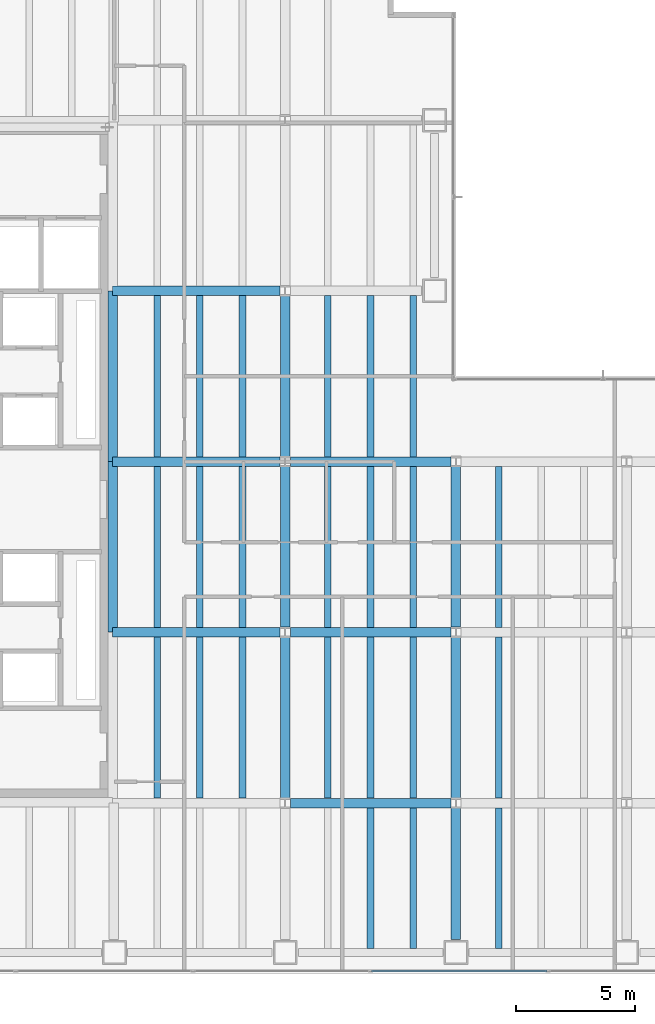
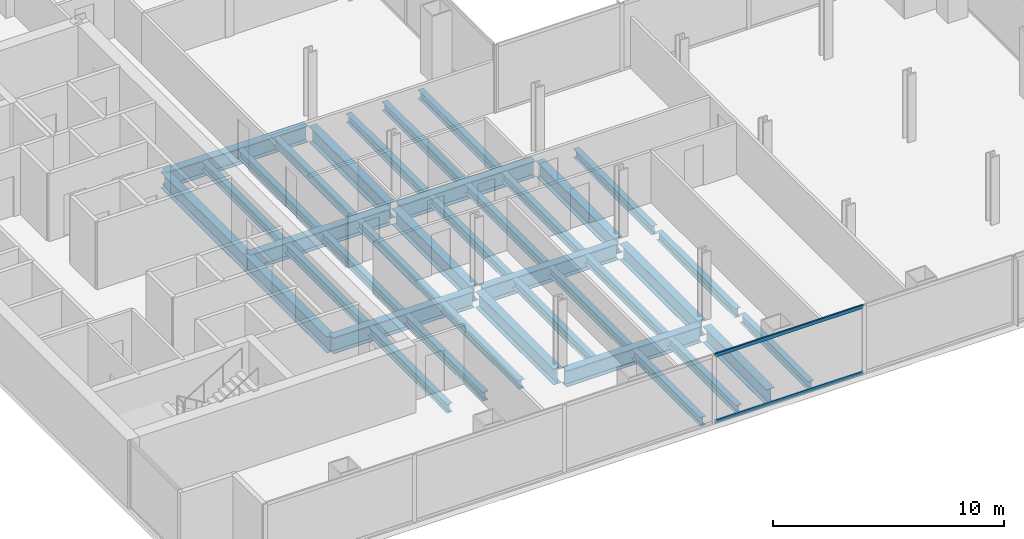
# One storey, part 5 of 25: 37 beams, 2 members, 1 element without a shape of its own.
"""IFC4 building model written with IfcOpenShell, lengths in metres."""

from ifc_helpers import new_model, si_unit, direction, frame, origin, origin_2d, place, context, subcontext, project, spatial, hollow_rectangle, i_section, extrude, material, material_profile, profile_set, type_object, element, aggregate, save


model = new_model("IFC4")

# Units and contexts
model_context = context("Model", 3, precision=1e-05, world=origin(), true_north=direction((0.0, 1.0)))
body_context = subcontext(model_context, "Body", "Model", "MODEL_VIEW")
ifc_project = project(units=[si_unit("LENGTHUNIT", "METRE"), si_unit("AREAUNIT", "SQUARE_METRE"), si_unit("VOLUMEUNIT", "CUBIC_METRE"), si_unit("PLANEANGLEUNIT", "RADIAN"), si_unit("MASSUNIT", "GRAM", prefix="KILO")], contexts=[model_context])

# Site, building, storey
site_placement = place(None, origin())
site = spatial("IfcSite", under=ifc_project, at=site_placement, CompositionType="ELEMENT")
building_placement = place(site_placement, origin())
building = spatial("IfcBuilding", under=site, at=building_placement, Name="Cobrela Telecom Tower", CompositionType="ELEMENT")
storey_placement = place(building_placement, frame((0.0, 0.0, 46.550048828125)))
storey = spatial("IfcBuildingStorey", under=building, at=storey_placement, Name="L11", CompositionType="ELEMENT", Elevation=46.550048828125)

# Beams
ifc_material_1 = material(Name="Steel ASTM A992 Grade 50", Category="steel")
ifc_material_profile_1 = material_profile(ifc_material_1, i_section(OverallWidth=0.39892578125, OverallDepth=0.85595703125, WebThickness=0.018310546875, FlangeThickness=0.029296875, FilletRadius=0.02001953125, at=origin_2d()), Name="W33X201")
ifc_profile_set_1 = profile_set([ifc_material_profile_1], Name="Steel ASTM A992 Grade 50")
beam_type_1 = type_object("IfcBeamType", Name="BM-GIRD-03", PredefinedType="USERDEFINED", material=ifc_profile_set_1)
beam_1_placement = place(storey_placement, frame((21.81591796875, 7.199951171875, -0.7080078125), z_axis=(1.0, 0.0, 0.0), x_axis=(0.0, 1.0, 0.0)))
element("IfcBeam", 1, at=beam_1_placement, inside=storey, type_object=beam_type_1, Name="L11 Primary Girder X09", ObjectType="GIRDER", PredefinedType="USERDEFINED", context=body_context, shape_type="SweptSolid", body=[
    extrude(i_section(OverallWidth=0.39892578125, OverallDepth=0.85595703125, WebThickness=0.018310546875, FlangeThickness=0.029296875, FilletRadius=0.02001953125, at=origin_2d()), origin(), (0.0, 0.0, 1.0), 6.76806640625),
])
beam_2_placement = place(storey_placement, frame((14.324951171875, 14.39990234375, -0.7080078125), z_axis=(1.0, 0.0, 0.0), x_axis=(0.0, 1.0, 0.0)))
element("IfcBeam", 2, at=beam_2_placement, inside=storey, type_object=beam_type_1, Name="L11 Primary Girder X13", ObjectType="GIRDER", PredefinedType="USERDEFINED", context=body_context, shape_type="SweptSolid", body=[
    extrude(i_section(OverallWidth=0.39892578125, OverallDepth=0.85595703125, WebThickness=0.018310546875, FlangeThickness=0.029296875, FilletRadius=0.02001953125, at=origin_2d()), origin(), (0.0, 0.0, 1.0), 7.05908203125),
])
beam_3_placement = place(storey_placement, frame((21.81591796875, 14.39990234375, -0.7080078125), z_axis=(1.0, 0.0, 0.0), x_axis=(0.0, 1.0, 0.0)))
element("IfcBeam", 3, at=beam_3_placement, inside=storey, type_object=beam_type_1, Name="L11 Primary Girder X14", ObjectType="GIRDER", PredefinedType="USERDEFINED", context=body_context, shape_type="SweptSolid", body=[
    extrude(i_section(OverallWidth=0.39892578125, OverallDepth=0.85595703125, WebThickness=0.018310546875, FlangeThickness=0.029296875, FilletRadius=0.02001953125, at=origin_2d()), origin(), (0.0, 0.0, 1.0), 6.76806640625),
])
beam_4_placement = place(storey_placement, frame((14.324951171875, 21.60009765625, -0.7080078125), z_axis=(1.0, 0.0, 0.0), x_axis=(0.0, 1.0, 0.0)))
element("IfcBeam", 4, at=beam_4_placement, inside=storey, type_object=beam_type_1, Name="L11 Primary Girder X18", ObjectType="GIRDER", PredefinedType="USERDEFINED", context=body_context, shape_type="SweptSolid", body=[
    extrude(i_section(OverallWidth=0.39892578125, OverallDepth=0.85595703125, WebThickness=0.018310546875, FlangeThickness=0.029296875, FilletRadius=0.02001953125, at=origin_2d()), origin(), (0.0, 0.0, 1.0), 7.05908203125),
])
beam_5_placement = place(storey_placement, frame((21.81591796875, 21.60009765625, -0.7080078125), z_axis=(1.0, 0.0, 0.0), x_axis=(0.0, 1.0, 0.0)))
element("IfcBeam", 5, at=beam_5_placement, inside=storey, type_object=beam_type_1, Name="L11 Primary Girder X19", ObjectType="GIRDER", PredefinedType="USERDEFINED", context=body_context, shape_type="SweptSolid", body=[
    extrude(i_section(OverallWidth=0.39892578125, OverallDepth=0.85595703125, WebThickness=0.018310546875, FlangeThickness=0.029296875, FilletRadius=0.02001953125, at=origin_2d()), origin(), (0.0, 0.0, 1.0), 6.76806640625),
])
beam_6_placement = place(storey_placement, frame((14.324951171875, 28.800048828125, -0.7080078125), z_axis=(1.0, 0.0, 0.0), x_axis=(0.0, 1.0, 0.0)))
element("IfcBeam", 6, at=beam_6_placement, inside=storey, type_object=beam_type_1, Name="L11 Primary Girder X23", ObjectType="GIRDER", PredefinedType="USERDEFINED", context=body_context, shape_type="SweptSolid", body=[
    extrude(i_section(OverallWidth=0.39892578125, OverallDepth=0.85595703125, WebThickness=0.018310546875, FlangeThickness=0.029296875, FilletRadius=0.02001953125, at=origin_2d()), origin(), (0.0, 0.0, 1.0), 7.05908203125),
])
for number, where, z_axis, x_axis, name in (
    (7, (14.320068359375, 14.405029296875, -0.7080078125), (0.0, 1.0, 0.0), (-1.0, 0.0, 0.0), "L11 Primary Girder Y36"),
    (8, (14.320068359375, 21.60498046875, -0.7080078125), (0.0, 1.0, 0.0), (-1.0, 0.0, 0.0), "L11 Primary Girder Y37"),
):
    element("IfcBeam", number, at=place(storey_placement, frame(where, z_axis=z_axis, x_axis=x_axis)), inside=storey, type_object=beam_type_1, Name=name, ObjectType="GIRDER", PredefinedType="USERDEFINED", context=body_context, shape_type="SweptSolid", body=[
        extrude(i_section(OverallWidth=0.39892578125, OverallDepth=0.85595703125, WebThickness=0.018310546875, FlangeThickness=0.029296875, FilletRadius=0.02001953125, at=origin_2d()), origin(), (0.0, 0.0, 1.0), 7.18994140625),
    ])
for number, where, z_axis, x_axis, name in (
    (9, (21.60009765625, 7.416015625, -0.7080078125), (0.0, 1.0, 0.0), (-1.0, 0.0, 0.0), "L11 Primary Girder Y41"),
    (10, (21.60009765625, 14.615966796875, -0.7080078125), (0.0, 1.0, 0.0), (-1.0, 0.0, 0.0), "L11 Primary Girder Y42"),
    (11, (21.60009765625, 21.81591796875, -0.7080078125), (0.0, 1.0, 0.0), (-1.0, 0.0, 0.0), "L11 Primary Girder Y43"),
):
    element("IfcBeam", number, at=place(storey_placement, frame(where, z_axis=z_axis, x_axis=x_axis)), inside=storey, type_object=beam_type_1, Name=name, ObjectType="GIRDER", PredefinedType="USERDEFINED", context=body_context, shape_type="SweptSolid", body=[
        extrude(i_section(OverallWidth=0.39892578125, OverallDepth=0.85595703125, WebThickness=0.018310546875, FlangeThickness=0.029296875, FilletRadius=0.02001953125, at=origin_2d()), origin(), (0.0, 0.0, 1.0), 6.76806640625),
    ])
beam_7_placement = place(storey_placement, frame((28.800048828125, 1.455078125, -0.7080078125), z_axis=(0.0, 1.0, 0.0), x_axis=(-1.0, 0.0, 0.0)))
element("IfcBeam", 12, at=beam_7_placement, inside=storey, type_object=beam_type_1, Name="L11 Primary Girder Y47", ObjectType="GIRDER", PredefinedType="USERDEFINED", context=body_context, shape_type="SweptSolid", body=[
    extrude(i_section(OverallWidth=0.39892578125, OverallDepth=0.85595703125, WebThickness=0.018310546875, FlangeThickness=0.029296875, FilletRadius=0.02001953125, at=origin_2d()), origin(), (0.0, 0.0, 1.0), 5.52880859375),
])
for number, where, z_axis, x_axis, name in (
    (13, (28.800048828125, 7.416015625, -0.7080078125), (0.0, 1.0, 0.0), (-1.0, 0.0, 0.0), "L11 Primary Girder Y48"),
    (14, (28.800048828125, 14.615966796875, -0.7080078125), (0.0, 1.0, 0.0), (-1.0, 0.0, 0.0), "L11 Primary Girder Y49"),
):
    element("IfcBeam", number, at=place(storey_placement, frame(where, z_axis=z_axis, x_axis=x_axis)), inside=storey, type_object=beam_type_1, Name=name, ObjectType="GIRDER", PredefinedType="USERDEFINED", context=body_context, shape_type="SweptSolid", body=[
        extrude(i_section(OverallWidth=0.39892578125, OverallDepth=0.85595703125, WebThickness=0.018310546875, FlangeThickness=0.029296875, FilletRadius=0.02001953125, at=origin_2d()), origin(), (0.0, 0.0, 1.0), 6.76806640625),
    ])
ifc_material_profile_2 = material_profile(ifc_material_1, i_section(OverallWidth=0.281982421875, OverallDepth=0.467041015625, WebThickness=0.01220703125, FlangeThickness=0.01953125, FilletRadius=0.012939453125, at=origin_2d()), Name="W18X86")
ifc_profile_set_2 = profile_set([ifc_material_profile_2], Name="Steel ASTM A992 Grade 50")
beam_type_2 = type_object("IfcBeamType", Name="BM-JOIST-02", PredefinedType="JOIST", material=ifc_profile_set_2)
for number, where, z_axis, x_axis, name in (
    (15, (16.199951171875, 7.404541015625, -0.513427734375), (0.0, 1.0, 0.0), (-1.0, 0.0, 0.0), "L11 Secondary Composite Floor Beam J08"),
    (16, (16.199951171875, 14.6044921875, -0.513427734375), (0.0, 1.0, 0.0), (-1.0, 0.0, 0.0), "L11 Secondary Composite Floor Beam J09"),
    (17, (16.199951171875, 21.804443359375, -0.513427734375), (0.0, 1.0, 0.0), (-1.0, 0.0, 0.0), "L11 Secondary Composite Floor Beam J10"),
    (18, (18.0, 7.404541015625, -0.513427734375), (0.0, 1.0, 0.0), (-1.0, 0.0, 0.0), "L11 Secondary Composite Floor Beam J14"),
    (19, (18.0, 14.6044921875, -0.513427734375), (0.0, 1.0, 0.0), (-1.0, 0.0, 0.0), "L11 Secondary Composite Floor Beam J15"),
    (20, (18.0, 21.804443359375, -0.513427734375), (0.0, 1.0, 0.0), (-1.0, 0.0, 0.0), "L11 Secondary Composite Floor Beam J16"),
    (21, (19.800048828125, 7.404541015625, -0.513427734375), (0.0, 1.0, 0.0), (-1.0, 0.0, 0.0), "L11 Secondary Composite Floor Beam J20"),
    (22, (19.800048828125, 14.6044921875, -0.513427734375), (0.0, 1.0, 0.0), (-1.0, 0.0, 0.0), "L11 Secondary Composite Floor Beam J21"),
    (23, (19.800048828125, 21.804443359375, -0.513427734375), (0.0, 1.0, 0.0), (-1.0, 0.0, 0.0), "L11 Secondary Composite Floor Beam J22"),
    (24, (23.39990234375, 7.404541015625, -0.513427734375), (0.0, 1.0, 0.0), (-1.0, 0.0, 0.0), "L11 Secondary Composite Floor Beam J26"),
    (25, (23.39990234375, 14.6044921875, -0.513427734375), (0.0, 1.0, 0.0), (-1.0, 0.0, 0.0), "L11 Secondary Composite Floor Beam J27"),
    (26, (23.39990234375, 21.804443359375, -0.513427734375), (0.0, 1.0, 0.0), (-1.0, 0.0, 0.0), "L11 Secondary Composite Floor Beam J28"),
):
    element("IfcBeam", number, at=place(storey_placement, frame(where, z_axis=z_axis, x_axis=x_axis)), inside=storey, type_object=beam_type_2, Name=name, PredefinedType="JOIST", context=body_context, shape_type="SweptSolid", body=[
        extrude(i_section(OverallWidth=0.281982421875, OverallDepth=0.467041015625, WebThickness=0.01220703125, FlangeThickness=0.01953125, FilletRadius=0.012939453125, at=origin_2d()), origin(), (0.0, 0.0, 1.0), 6.791015625),
    ])
beam_8_placement = place(storey_placement, frame((25.199951171875, 1.0673828125, -0.513427734375), z_axis=(0.0, 1.0, 0.0), x_axis=(-1.0, 0.0, 0.0)))
element("IfcBeam", 27, at=beam_8_placement, inside=storey, type_object=beam_type_2, Name="L11 Secondary Composite Floor Beam J31", PredefinedType="JOIST", context=body_context, shape_type="SweptSolid", body=[
    extrude(i_section(OverallWidth=0.281982421875, OverallDepth=0.467041015625, WebThickness=0.01220703125, FlangeThickness=0.01953125, FilletRadius=0.012939453125, at=origin_2d()), origin(), (0.0, 0.0, 1.0), 5.92822265625),
])
for number, where, z_axis, x_axis, name in (
    (28, (25.199951171875, 7.404541015625, -0.513427734375), (0.0, 1.0, 0.0), (-1.0, 0.0, 0.0), "L11 Secondary Composite Floor Beam J32"),
    (29, (25.199951171875, 14.6044921875, -0.513427734375), (0.0, 1.0, 0.0), (-1.0, 0.0, 0.0), "L11 Secondary Composite Floor Beam J33"),
    (30, (25.199951171875, 21.804443359375, -0.513427734375), (0.0, 1.0, 0.0), (-1.0, 0.0, 0.0), "L11 Secondary Composite Floor Beam J34"),
):
    element("IfcBeam", number, at=place(storey_placement, frame(where, z_axis=z_axis, x_axis=x_axis)), inside=storey, type_object=beam_type_2, Name=name, PredefinedType="JOIST", context=body_context, shape_type="SweptSolid", body=[
        extrude(i_section(OverallWidth=0.281982421875, OverallDepth=0.467041015625, WebThickness=0.01220703125, FlangeThickness=0.01953125, FilletRadius=0.012939453125, at=origin_2d()), origin(), (0.0, 0.0, 1.0), 6.791015625),
    ])
beam_9_placement = place(storey_placement, frame((27.0, 1.0673828125, -0.513427734375), z_axis=(0.0, 1.0, 0.0), x_axis=(-1.0, 0.0, 0.0)))
element("IfcBeam", 31, at=beam_9_placement, inside=storey, type_object=beam_type_2, Name="L11 Secondary Composite Floor Beam J36", PredefinedType="JOIST", context=body_context, shape_type="SweptSolid", body=[
    extrude(i_section(OverallWidth=0.281982421875, OverallDepth=0.467041015625, WebThickness=0.01220703125, FlangeThickness=0.01953125, FilletRadius=0.012939453125, at=origin_2d()), origin(), (0.0, 0.0, 1.0), 5.92822265625),
])
for number, where, z_axis, x_axis, name in (
    (32, (27.0, 7.404541015625, -0.513427734375), (0.0, 1.0, 0.0), (-1.0, 0.0, 0.0), "L11 Secondary Composite Floor Beam J37"),
    (33, (27.0, 14.6044921875, -0.513427734375), (0.0, 1.0, 0.0), (-1.0, 0.0, 0.0), "L11 Secondary Composite Floor Beam J38"),
    (34, (27.0, 21.804443359375, -0.513427734375), (0.0, 1.0, 0.0), (-1.0, 0.0, 0.0), "L11 Secondary Composite Floor Beam J39"),
):
    element("IfcBeam", number, at=place(storey_placement, frame(where, z_axis=z_axis, x_axis=x_axis)), inside=storey, type_object=beam_type_2, Name=name, PredefinedType="JOIST", context=body_context, shape_type="SweptSolid", body=[
        extrude(i_section(OverallWidth=0.281982421875, OverallDepth=0.467041015625, WebThickness=0.01220703125, FlangeThickness=0.01953125, FilletRadius=0.012939453125, at=origin_2d()), origin(), (0.0, 0.0, 1.0), 6.791015625),
    ])
beam_10_placement = place(storey_placement, frame((30.60009765625, 1.0673828125, -0.513427734375), z_axis=(0.0, 1.0, 0.0), x_axis=(-1.0, 0.0, 0.0)))
element("IfcBeam", 35, at=beam_10_placement, inside=storey, type_object=beam_type_2, Name="L11 Secondary Composite Floor Beam J41", PredefinedType="JOIST", context=body_context, shape_type="SweptSolid", body=[
    extrude(i_section(OverallWidth=0.281982421875, OverallDepth=0.467041015625, WebThickness=0.01220703125, FlangeThickness=0.01953125, FilletRadius=0.012939453125, at=origin_2d()), origin(), (0.0, 0.0, 1.0), 5.92822265625),
])
for number, where, z_axis, x_axis, name in (
    (36, (30.60009765625, 7.404541015625, -0.513427734375), (0.0, 1.0, 0.0), (-1.0, 0.0, 0.0), "L11 Secondary Composite Floor Beam J42"),
    (37, (30.60009765625, 14.6044921875, -0.513427734375), (0.0, 1.0, 0.0), (-1.0, 0.0, 0.0), "L11 Secondary Composite Floor Beam J43"),
):
    element("IfcBeam", number, at=place(storey_placement, frame(where, z_axis=z_axis, x_axis=x_axis)), inside=storey, type_object=beam_type_2, Name=name, PredefinedType="JOIST", context=body_context, shape_type="SweptSolid", body=[
        extrude(i_section(OverallWidth=0.281982421875, OverallDepth=0.467041015625, WebThickness=0.01220703125, FlangeThickness=0.01953125, FilletRadius=0.012939453125, at=origin_2d()), origin(), (0.0, 0.0, 1.0), 6.791015625),
    ])

# Curtain wall, members
ifc_material_2 = material(Name="Anodized Bronze Aluminium 6063-T6", Category="aluminium")
curtain_wall_type = type_object("IfcCurtainWallType", Name="CW-SYS-DATA", PredefinedType="USERDEFINED", material=ifc_material_2)
curtain_wall_placement = place(storey_placement, origin())
curtain_wall = element("IfcCurtainWall", 38, at=curtain_wall_placement, inside=storey, type_object=curtain_wall_type, Name="L11 Unitised Bronze Curtain Wall 17", ObjectType="UNITISED CURTAIN WALL", PredefinedType="USERDEFINED")
ifc_material_profile_3 = material_profile(ifc_material_2, hollow_rectangle(XDim=0.074951171875, YDim=0.179931640625, WallThickness=0.00390625, at=origin_2d()), Name="ALU 75x180x4")
ifc_profile_set_3 = profile_set([ifc_material_profile_3], Name="Anodized Bronze Aluminium 6063-T6")
member_type = type_object("IfcMemberType", Name="CW-SYS-DATA-TRN", PredefinedType="USERDEFINED", material=ifc_profile_set_3)
member_1_placement = place(storey_placement, frame((32.643310546875, 0.1201171875, 0.037353515625), z_axis=(-1.0, 0.0, 0.0), x_axis=(0.0, -1.0, 0.0)))
member_1 = element("IfcMember", 39, at=member_1_placement, type_object=member_type, Name="CW-DATA transom 3.1", ObjectType="TRANSOM", PredefinedType="USERDEFINED", context=body_context, shape_type="SweptSolid", body=[
    extrude(hollow_rectangle(XDim=0.074951171875, YDim=0.179931640625, WallThickness=0.00390625, at=origin_2d()), origin(), (0.0, 0.0, 1.0), 7.4033203125),
])
member_2_placement = place(storey_placement, frame((32.643310546875, 0.1201171875, 3.532470703125), z_axis=(-1.0, 0.0, 0.0), x_axis=(0.0, -1.0, 0.0)))
member_2 = element("IfcMember", 40, at=member_2_placement, type_object=member_type, Name="CW-DATA transom 3.2", ObjectType="TRANSOM", PredefinedType="USERDEFINED", context=body_context, shape_type="SweptSolid", body=[
    extrude(hollow_rectangle(XDim=0.074951171875, YDim=0.179931640625, WallThickness=0.00390625, at=origin_2d()), origin(), (0.0, 0.0, 1.0), 7.4033203125),
])
aggregate(curtain_wall, [member_1, member_2])

save(model, "model.ifc")
